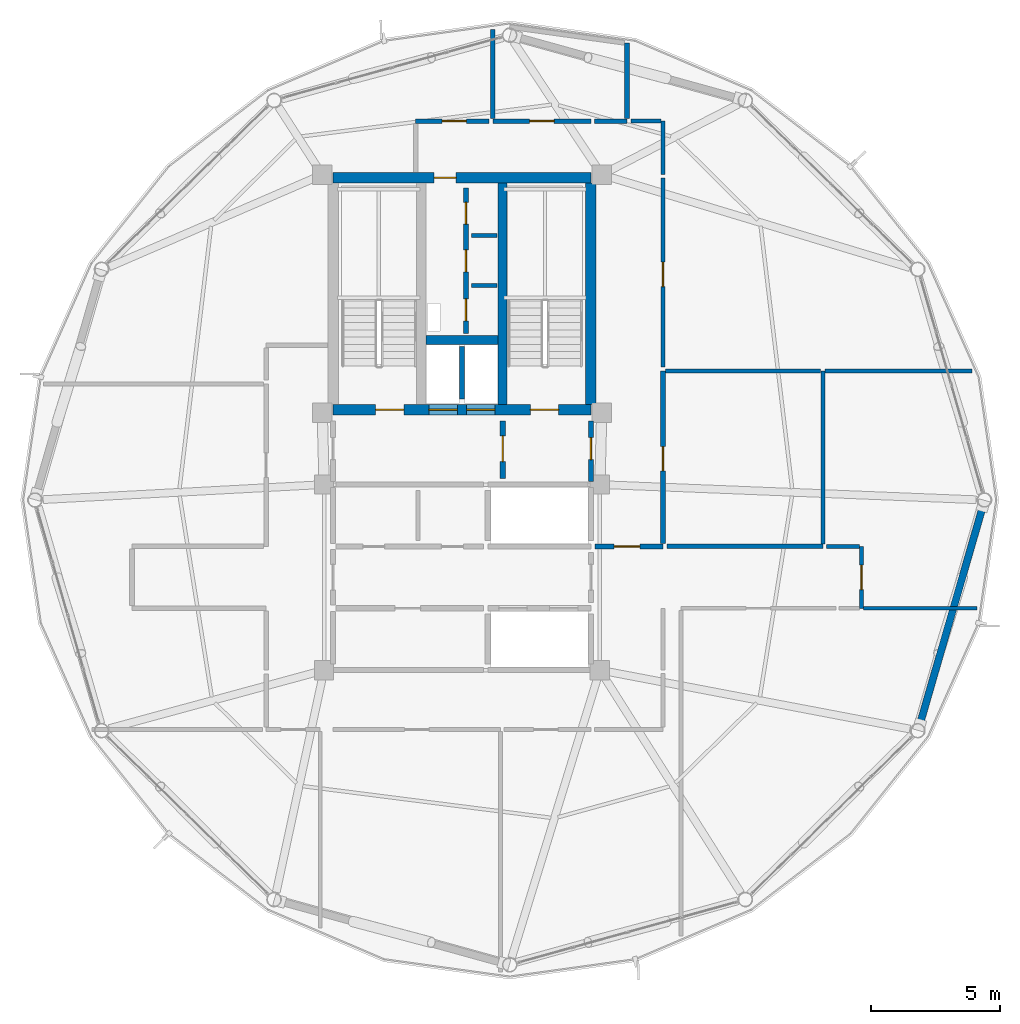
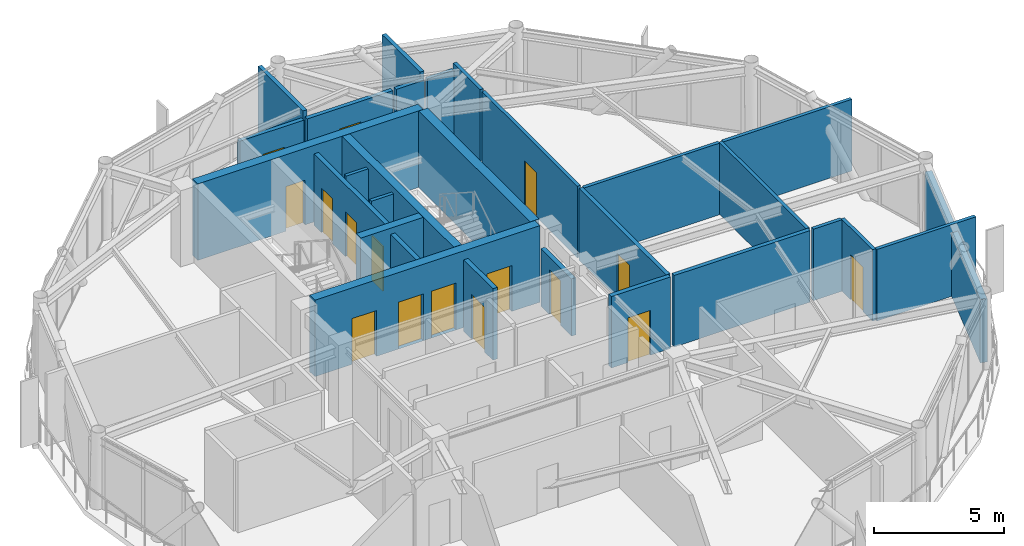
# One storey, part 21 of 25: 29 walls, 16 doors, 16 openings.
"""IFC4 building model written with IfcOpenShell, lengths in metres."""

from ifc_helpers import new_model, si_unit, direction, frame, frame_2d, origin, place, context, subcontext, project, spatial, rectangle, extrude, material, layer, layer_set, type_object, element, fill, save


model = new_model("IFC4")

# Units and contexts
model_context = context("Model", 3, precision=1e-05, world=origin(), true_north=direction((0.0, 1.0)))
body_context = subcontext(model_context, "Body", "Model", "MODEL_VIEW")
ifc_project = project(units=[si_unit("LENGTHUNIT", "METRE"), si_unit("AREAUNIT", "SQUARE_METRE"), si_unit("VOLUMEUNIT", "CUBIC_METRE"), si_unit("PLANEANGLEUNIT", "RADIAN"), si_unit("MASSUNIT", "GRAM", prefix="KILO")], contexts=[model_context])

# Site, building, storey
site_placement = place(None, origin())
site = spatial("IfcSite", under=ifc_project, at=site_placement, CompositionType="ELEMENT")
building_placement = place(site_placement, origin())
building = spatial("IfcBuilding", under=site, at=building_placement, Name="Varnakorn Sky Granary", CompositionType="ELEMENT")
storey_placement = place(building_placement, frame((0.0, 0.0, 252.60009765625)))
storey = spatial("IfcBuildingStorey", under=building, at=storey_placement, Name="L64", CompositionType="ELEMENT", Elevation=252.60009765625)

# Walls
ifc_material_1 = material(Name="Concrete C50/60", Category="concrete")
ifc_layer_1 = layer(ifc_material_1, 0.35009765625, Name="Concrete C50/60")
ifc_layer_set_1 = layer_set([ifc_layer_1], Name="Concrete C50/60")
wall_type_1 = type_object("IfcWallType", Name="WT-CW-INT-350", PredefinedType="SHEAR", material=ifc_layer_set_1)
wall_1_placement = place(storey_placement, frame((4.580078125, 3.7099609375, 0.0), z_axis=(0.0, 0.0, 1.0), x_axis=(0.0, 1.0, 0.0)))
element("IfcWall", 1, at=wall_1_placement, inside=storey, type_object=wall_type_1, Name="Stair ST-2 Core Wall L64", PredefinedType="SHEAR", context=body_context, shape_type="SweptSolid", body=[
    extrude(rectangle(XDim=8.580078125, YDim=0.35009765625, at=frame_2d((4.2900390625, 0.0))), origin(), (0.0, 0.0, 1.0), 3.591796875),
])
wall_2_placement = place(storey_placement, frame((1.610107421875, 6.199951171875, 0.0), z_axis=(0.0, 0.0, 1.0), x_axis=(1.0, 0.0, 0.0)))
element("IfcWall", 2, at=wall_2_placement, inside=storey, type_object=wall_type_1, Name="Core Lift Shaft Cross Wall L64", PredefinedType="SHEAR", context=body_context, shape_type="SweptSolid", body=[
    extrude(rectangle(XDim=2.77978515625, YDim=0.35009765625, at=frame_2d((1.389892578125, 0.0))), origin(), (0.0, 0.0, 1.0), 3.591796875),
])

# Wall, openings, doors
ifc_layer_2 = layer(ifc_material_1, 0.39990234375, Name="Concrete C50/60")
ifc_layer_set_2 = layer_set([ifc_layer_2], Name="Concrete C50/60")
wall_type_2 = type_object("IfcWallType", Name="WT-CW-SHEAR-400", PredefinedType="SHEAR", material=ifc_layer_set_2)
wall_3_placement = place(storey_placement, frame((-2.0, 3.5, 0.0), z_axis=(0.0, 0.0, 1.0), x_axis=(1.0, 0.0, 0.0)))
wall_3 = element("IfcWall", 3, at=wall_3_placement, inside=storey, type_object=wall_type_2, Name="Core South Shear Wall L64", PredefinedType="SHEAR", context=body_context, shape_type="SweptSolid", body=[
    extrude(rectangle(XDim=10.0, YDim=0.39990234375, at=frame_2d((5.0, 0.0))), origin(), (0.0, 0.0, 1.0), 3.591796875),
])
opening_1_placement = place(wall_3_placement, frame((1.64990234375, 0.0, 0.0)))
opening_1 = element("IfcOpeningElement", 4, at=opening_1_placement, cuts=wall_3, Name="Opening FD-90", PredefinedType="OPENING", context=body_context, shape_type="SweptSolid", body=[
    extrude(rectangle(XDim=1.10009765625, YDim=2.14990234375, at=frame_2d((0.550048828125, 1.074951171875))), frame((0.0, 0.2099609375, 0.0), z_axis=(0.0, -1.0, 0.0), x_axis=(1.0, 0.0, 0.0)), (0.0, 0.0, 1.0), 0.419921875),
])
opening_2_placement = place(wall_3_placement, frame((7.64990234375, 0.0, 0.0)))
opening_2 = element("IfcOpeningElement", 5, at=opening_2_placement, cuts=wall_3, Name="Opening FD-90", PredefinedType="OPENING", context=body_context, shape_type="SweptSolid", body=[
    extrude(rectangle(XDim=1.10009765625, YDim=2.14990234375, at=frame_2d((0.550048828125, 1.074951171875))), frame((0.0, 0.2099609375, 0.0), z_axis=(0.0, -1.0, 0.0), x_axis=(1.0, 0.0, 0.0)), (0.0, 0.0, 1.0), 0.419921875),
])
opening_3_placement = place(wall_3_placement, frame((3.719970703125, 0.0, 0.0)))
opening_3 = element("IfcOpeningElement", 6, at=opening_3_placement, cuts=wall_3, Name="Opening LD-01", PredefinedType="OPENING", context=body_context, shape_type="SweptSolid", body=[
    extrude(rectangle(XDim=1.10009765625, YDim=2.199951171875, at=frame_2d((0.550048828125, 1.10009765625))), frame((0.0, 0.2099609375, 0.0), z_axis=(0.0, -1.0, 0.0), x_axis=(1.0, 0.0, 0.0)), (0.0, 0.0, 1.0), 0.419921875),
])
opening_4_placement = place(wall_3_placement, frame((5.179931640625, 0.0, 0.0)))
opening_4 = element("IfcOpeningElement", 7, at=opening_4_placement, cuts=wall_3, Name="Opening LD-01", PredefinedType="OPENING", context=body_context, shape_type="SweptSolid", body=[
    extrude(rectangle(XDim=1.10009765625, YDim=2.199951171875, at=frame_2d((0.550048828125, 1.10009765625))), frame((0.0, 0.2099609375, 0.0), z_axis=(0.0, -1.0, 0.0), x_axis=(1.0, 0.0, 0.0)), (0.0, 0.0, 1.0), 0.419921875),
])
ifc_material_2 = material(Name="Brushed Bronze Stainless Steel", Category="steel")
door_type_1 = type_object("IfcDoorType", Name="DR-LD-1100", OperationType="DOUBLE_DOOR_SLIDING", PredefinedType="DOOR", material=ifc_material_2)
door_1_placement = place(opening_3_placement, origin())
door_1 = element("IfcDoor", 8, at=door_1_placement, inside=storey, type_object=door_type_1, Name="Firefighting Lift FFL-1 Landing Door L64", OperationType="DOUBLE_DOOR_SLIDING", OverallHeight=2.199951171875, OverallWidth=1.10009765625, PredefinedType="DOOR", context=body_context, shape_type="SweptSolid", body=[
    extrude(rectangle(XDim=1.10009765625, YDim=2.199951171875, at=frame_2d((0.550048828125, 1.10009765625))), frame((0.0, 0.02490234375, 0.0), z_axis=(0.0, -1.0, 0.0), x_axis=(1.0, 0.0, 0.0)), (0.0, 0.0, 1.0), 0.050048828125),
])
fill(opening_3, door_1)
door_2_placement = place(opening_4_placement, origin())
door_2 = element("IfcDoor", 9, at=door_2_placement, inside=storey, type_object=door_type_1, Name="Firefighting Lift FFL-2 Landing Door L64", OperationType="DOUBLE_DOOR_SLIDING", OverallHeight=2.199951171875, OverallWidth=1.10009765625, PredefinedType="DOOR", context=body_context, shape_type="SweptSolid", body=[
    extrude(rectangle(XDim=1.10009765625, YDim=2.199951171875, at=frame_2d((0.550048828125, 1.10009765625))), frame((0.0, 0.02490234375, 0.0), z_axis=(0.0, -1.0, 0.0), x_axis=(1.0, 0.0, 0.0)), (0.0, 0.0, 1.0), 0.050048828125),
])
fill(opening_4, door_2)
ifc_material_3 = material(Name="Galvanised Painted Steel Leaf", Category="steel")
door_type_2 = type_object("IfcDoorType", Name="DR-STAIR-1100", OperationType="NOTDEFINED", PredefinedType="DOOR", material=ifc_material_3)
door_3_placement = place(opening_1_placement, origin())
door_3 = element("IfcDoor", 10, at=door_3_placement, inside=storey, type_object=door_type_2, Name="Stair ST-1 Protected Fire Door L64", OperationType="SINGLE_SWING_LEFT", OverallHeight=2.14990234375, OverallWidth=1.10009765625, PredefinedType="DOOR", context=body_context, shape_type="SweptSolid", body=[
    extrude(rectangle(XDim=1.10009765625, YDim=2.14990234375, at=frame_2d((0.550048828125, 1.074951171875))), frame((0.0, 0.02490234375, 0.0), z_axis=(0.0, -1.0, 0.0), x_axis=(1.0, 0.0, 0.0)), (0.0, 0.0, 1.0), 0.050048828125),
])
fill(opening_1, door_3)
door_4_placement = place(opening_2_placement, origin())
door_4 = element("IfcDoor", 11, at=door_4_placement, inside=storey, type_object=door_type_2, Name="Stair ST-2 Protected Fire Door L64", OperationType="SINGLE_SWING_RIGHT", OverallHeight=2.14990234375, OverallWidth=1.10009765625, PredefinedType="DOOR", context=body_context, shape_type="SweptSolid", body=[
    extrude(rectangle(XDim=1.10009765625, YDim=2.14990234375, at=frame_2d((0.550048828125, 1.074951171875))), frame((0.0, 0.02490234375, 0.0), z_axis=(0.0, -1.0, 0.0), x_axis=(1.0, 0.0, 0.0)), (0.0, 0.0, 1.0), 0.050048828125),
])
fill(opening_2, door_4)

# Wall, opening, door
wall_4_placement = place(storey_placement, frame((-2.0, 12.5, 0.0), z_axis=(0.0, 0.0, 1.0), x_axis=(1.0, 0.0, 0.0)))
wall_4 = element("IfcWall", 12, at=wall_4_placement, inside=storey, type_object=wall_type_2, Name="Core North Shear Wall L64", PredefinedType="SHEAR", context=body_context, shape_type="SweptSolid", body=[
    extrude(rectangle(XDim=10.0, YDim=0.39990234375, at=frame_2d((5.0, 0.0))), origin(), (0.0, 0.0, 1.0), 3.591796875),
])
opening_5_placement = place(wall_4_placement, frame((3.919921875, 0.0, 0.0)))
opening_5 = element("IfcOpeningElement", 13, at=opening_5_placement, cuts=wall_4, Name="Opening FD-60N", PredefinedType="OPENING", context=body_context, shape_type="SweptSolid", body=[
    extrude(rectangle(XDim=0.85009765625, YDim=2.10009765625, at=frame_2d((0.425048828125, 1.050048828125))), frame((0.0, 0.2099609375, 0.0), z_axis=(0.0, -1.0, 0.0), x_axis=(1.0, 0.0, 0.0)), (0.0, 0.0, 1.0), 0.419921875),
])
ifc_material_4 = material(Name="Acoustic Timber Fire Leaf", Category="wood")
door_type_3 = type_object("IfcDoorType", Name="DR-FD60-850", OperationType="NOTDEFINED", PredefinedType="DOOR", material=ifc_material_4)
door_5_placement = place(opening_5_placement, origin())
door_5 = element("IfcDoor", 14, at=door_5_placement, inside=storey, type_object=door_type_3, Name="Core North Service Door L64", OperationType="SINGLE_SWING_RIGHT", OverallHeight=2.10009765625, OverallWidth=0.85009765625, PredefinedType="DOOR", context=body_context, shape_type="SweptSolid", body=[
    extrude(rectangle(XDim=0.85009765625, YDim=2.10009765625, at=frame_2d((0.425048828125, 1.050048828125))), frame((0.0, 0.02490234375, 0.0), z_axis=(0.0, -1.0, 0.0), x_axis=(1.0, 0.0, 0.0)), (0.0, 0.0, 1.0), 0.050048828125),
])
fill(opening_5, door_5)

# Walls
wall_5_placement = place(storey_placement, frame((8.0, 3.7099609375, 0.0), z_axis=(0.0, 0.0, 1.0), x_axis=(0.0, 1.0, 0.0)))
element("IfcWall", 15, at=wall_5_placement, inside=storey, type_object=wall_type_2, Name="Core East Shear Wall L64", PredefinedType="SHEAR", context=body_context, shape_type="SweptSolid", body=[
    extrude(rectangle(XDim=8.580078125, YDim=0.39990234375, at=frame_2d((4.2900390625, 0.0))), origin(), (0.0, 0.0, 1.0), 3.591796875),
])
ifc_material_5 = material(Name="Precast concrete C40/50", Category="concrete")
ifc_layer_3 = layer(ifc_material_5, 0.280029296875, Name="Precast concrete C40/50")
ifc_layer_set_3 = layer_set([ifc_layer_3], Name="Precast concrete C40/50")
wall_type_3 = type_object("IfcWallType", Name="WT-EW-CRN-280", PredefinedType="SOLIDWALL", material=ifc_layer_set_3)
wall_6_placement = place(storey_placement, frame((23.2119140625, -0.225341796875, 0.0), z_axis=(0.0, 0.0, 1.0), x_axis=(-0.277496645895, -0.960726606021, 0.0)))
element("IfcWall", 16, at=wall_6_placement, inside=storey, type_object=wall_type_3, Name="Agritech Insulated Precast Facade Wall L64-P12", PredefinedType="SOLIDWALL", context=body_context, shape_type="SweptSolid", body=[
    extrude(rectangle(XDim=8.848876953125, YDim=0.280029296875, at=frame_2d((4.42431640625, 0.0))), origin(), (0.0, 0.0, 1.0), 2.969970703125),
])

# Wall, openings, doors
ifc_material_6 = material(Name="Autoclaved Aerated Concrete Blockwork", Category="masonry")
ifc_layer_4 = layer(ifc_material_6, 0.199951171875, Name="Autoclaved Aerated Concrete Blockwork")
ifc_layer_set_4 = layer_set([ifc_layer_4], Name="Autoclaved Aerated Concrete Blockwork")
wall_type_4 = type_object("IfcWallType", Name="WT-FIRE-200", PredefinedType="MOVABLE", material=ifc_layer_set_4)
wall_7_placement = place(storey_placement, frame((3.14990234375, 6.449951171875, 0.0), z_axis=(0.0, 0.0, 1.0), x_axis=(0.0, 1.0, 0.0)))
wall_7 = element("IfcWall", 17, at=wall_7_placement, inside=storey, type_object=wall_type_4, Name="Interior Partition Wall L64-010", PredefinedType="MOVABLE", context=body_context, shape_type="SweptSolid", body=[
    extrude(rectangle(XDim=5.650146484375, YDim=0.199951171875, at=frame_2d((2.8251953125, 0.0))), origin(), (0.0, 0.0, 1.0), 3.35986328125),
])
opening_6_placement = place(wall_7_placement, frame((0.5, 0.0, 0.0)))
opening_6 = element("IfcOpeningElement", 18, at=opening_6_placement, cuts=wall_7, Name="Opening FD-60N", PredefinedType="OPENING", context=body_context, shape_type="SweptSolid", body=[
    extrude(rectangle(XDim=0.85009765625, YDim=2.10009765625, at=frame_2d((0.425048828125, 1.050048828125))), frame((0.0, 0.10986328125, 0.0), z_axis=(0.0, -1.0, 0.0), x_axis=(1.0, 0.0, 0.0)), (0.0, 0.0, 1.0), 0.219970703125),
])
opening_7_placement = place(wall_7_placement, frame((2.39990234375, 0.0, 0.0)))
opening_7 = element("IfcOpeningElement", 19, at=opening_7_placement, cuts=wall_7, Name="Opening FD-60N", PredefinedType="OPENING", context=body_context, shape_type="SweptSolid", body=[
    extrude(rectangle(XDim=0.85009765625, YDim=2.10009765625, at=frame_2d((0.425048828125, 1.050048828125))), frame((0.0, 0.10986328125, 0.0), z_axis=(0.0, -1.0, 0.0), x_axis=(1.0, 0.0, 0.0)), (0.0, 0.0, 1.0), 0.219970703125),
])
opening_8_placement = place(wall_7_placement, frame((4.25, 0.0, 0.0)))
opening_8 = element("IfcOpeningElement", 20, at=opening_8_placement, cuts=wall_7, Name="Opening FD-60N", PredefinedType="OPENING", context=body_context, shape_type="SweptSolid", body=[
    extrude(rectangle(XDim=0.85009765625, YDim=2.10009765625, at=frame_2d((0.425048828125, 1.050048828125))), frame((0.0, 0.10986328125, 0.0), z_axis=(0.0, -1.0, 0.0), x_axis=(1.0, 0.0, 0.0)), (0.0, 0.0, 1.0), 0.219970703125),
])
door_6_placement = place(opening_6_placement, origin())
door_6 = element("IfcDoor", 21, at=door_6_placement, inside=storey, type_object=door_type_3, Name="Interior Door L64-010-1", OperationType="SINGLE_SWING_RIGHT", OverallHeight=2.10009765625, OverallWidth=0.85009765625, PredefinedType="DOOR", context=body_context, shape_type="SweptSolid", body=[
    extrude(rectangle(XDim=0.85009765625, YDim=2.10009765625, at=frame_2d((0.425048828125, 1.050048828125))), frame((0.0, 0.02490234375, 0.0), z_axis=(0.0, -1.0, 0.0), x_axis=(1.0, 0.0, 0.0)), (0.0, 0.0, 1.0), 0.050048828125),
])
fill(opening_6, door_6)
door_7_placement = place(opening_7_placement, origin())
door_7 = element("IfcDoor", 22, at=door_7_placement, inside=storey, type_object=door_type_3, Name="Interior Door L64-010-2", OperationType="SINGLE_SWING_LEFT", OverallHeight=2.10009765625, OverallWidth=0.85009765625, PredefinedType="DOOR", context=body_context, shape_type="SweptSolid", body=[
    extrude(rectangle(XDim=0.85009765625, YDim=2.10009765625, at=frame_2d((0.425048828125, 1.050048828125))), frame((0.0, 0.02490234375, 0.0), z_axis=(0.0, -1.0, 0.0), x_axis=(1.0, 0.0, 0.0)), (0.0, 0.0, 1.0), 0.050048828125),
])
fill(opening_7, door_7)
door_8_placement = place(opening_8_placement, origin())
door_8 = element("IfcDoor", 23, at=door_8_placement, inside=storey, type_object=door_type_3, Name="Interior Door L64-010-3", OperationType="SINGLE_SWING_RIGHT", OverallHeight=2.10009765625, OverallWidth=0.85009765625, PredefinedType="DOOR", context=body_context, shape_type="SweptSolid", body=[
    extrude(rectangle(XDim=0.85009765625, YDim=2.10009765625, at=frame_2d((0.425048828125, 1.050048828125))), frame((0.0, 0.02490234375, 0.0), z_axis=(0.0, -1.0, 0.0), x_axis=(1.0, 0.0, 0.0)), (0.0, 0.0, 1.0), 0.050048828125),
])
fill(opening_8, door_8)

# Wall, opening, door
wall_8_placement = place(storey_placement, frame((4.580078125, 0.830078125, 0.0), z_axis=(0.0, 0.0, 1.0), x_axis=(0.0, 1.0, 0.0)))
wall_8 = element("IfcWall", 24, at=wall_8_placement, inside=storey, type_object=wall_type_4, Name="Interior Partition Wall L64-011", PredefinedType="MOVABLE", context=body_context, shape_type="SweptSolid", body=[
    extrude(rectangle(XDim=2.239990234375, YDim=0.199951171875, at=frame_2d((1.1201171875, 0.0))), origin(), (0.0, 0.0, 1.0), 3.35986328125),
])
opening_9_placement = place(wall_8_placement, frame((0.659912109375, 0.0, 0.0)))
opening_9 = element("IfcOpeningElement", 25, at=opening_9_placement, cuts=wall_8, Name="Opening FD-60", PredefinedType="OPENING", context=body_context, shape_type="SweptSolid", body=[
    extrude(rectangle(XDim=1.0, YDim=2.10009765625, at=frame_2d((0.5, 1.050048828125))), frame((0.0, 0.10986328125, 0.0), z_axis=(0.0, -1.0, 0.0), x_axis=(1.0, 0.0, 0.0)), (0.0, 0.0, 1.0), 0.219970703125),
])
door_type_4 = type_object("IfcDoorType", Name="DR-FD60-1000", OperationType="NOTDEFINED", PredefinedType="DOOR", material=ifc_material_4)
door_9_placement = place(opening_9_placement, origin())
door_9 = element("IfcDoor", 26, at=door_9_placement, inside=storey, type_object=door_type_4, Name="Interior Door L64-011-1", OperationType="SINGLE_SWING_LEFT", OverallHeight=2.10009765625, OverallWidth=1.0, PredefinedType="DOOR", context=body_context, shape_type="SweptSolid", body=[
    extrude(rectangle(XDim=1.0, YDim=2.10009765625, at=frame_2d((0.5, 1.050048828125))), frame((0.0, 0.02490234375, 0.0), z_axis=(0.0, -1.0, 0.0), x_axis=(1.0, 0.0, 0.0)), (0.0, 0.0, 1.0), 0.050048828125),
])
fill(opening_9, door_9)

wall_9_placement = place(storey_placement, frame((8.0, 0.719970703125, 0.0), z_axis=(0.0, 0.0, 1.0), x_axis=(0.0, 1.0, 0.0)))
wall_9 = element("IfcWall", 27, at=wall_9_placement, inside=storey, type_object=wall_type_4, Name="Interior Partition Wall L64-013", PredefinedType="MOVABLE", context=body_context, shape_type="SweptSolid", body=[
    extrude(rectangle(XDim=2.35009765625, YDim=0.199951171875, at=frame_2d((1.175048828125, 0.0))), origin(), (0.0, 0.0, 1.0), 2.69189453125),
])
opening_10_placement = place(wall_9_placement, frame((0.844970703125, 0.0, 0.0)))
opening_10 = element("IfcOpeningElement", 28, at=opening_10_placement, cuts=wall_9, Name="Opening FD-60N", PredefinedType="OPENING", context=body_context, shape_type="SweptSolid", body=[
    extrude(rectangle(XDim=0.85009765625, YDim=2.10009765625, at=frame_2d((0.425048828125, 1.050048828125))), frame((0.0, 0.10986328125, 0.0), z_axis=(0.0, -1.0, 0.0), x_axis=(1.0, 0.0, 0.0)), (0.0, 0.0, 1.0), 0.219970703125),
])
door_10_placement = place(opening_10_placement, origin())
door_10 = element("IfcDoor", 29, at=door_10_placement, inside=storey, type_object=door_type_3, Name="Interior Door L64-013-1", OperationType="SINGLE_SWING_LEFT", OverallHeight=2.10009765625, OverallWidth=0.85009765625, PredefinedType="DOOR", context=body_context, shape_type="SweptSolid", body=[
    extrude(rectangle(XDim=0.85009765625, YDim=2.10009765625, at=frame_2d((0.425048828125, 1.050048828125))), frame((0.0, 0.02490234375, 0.0), z_axis=(0.0, -1.0, 0.0), x_axis=(1.0, 0.0, 0.0)), (0.0, 0.0, 1.0), 0.050048828125),
])
fill(opening_10, door_10)

wall_10_placement = place(storey_placement, frame((8.159912109375, -1.800048828125, 0.0), z_axis=(0.0, 0.0, 1.0), x_axis=(1.0, 0.0, 0.0)))
wall_10 = element("IfcWall", 30, at=wall_10_placement, inside=storey, type_object=wall_type_4, Name="Interior Partition Wall L64-018", PredefinedType="MOVABLE", context=body_context, shape_type="SweptSolid", body=[
    extrude(rectangle(XDim=2.64013671875, YDim=0.199951171875, at=frame_2d((1.320068359375, 0.0))), origin(), (0.0, 0.0, 1.0), 3.35986328125),
])
opening_11_placement = place(wall_10_placement, frame((0.739990234375, 0.0, 0.0)))
opening_11 = element("IfcOpeningElement", 31, at=opening_11_placement, cuts=wall_10, Name="Opening FD-60", PredefinedType="OPENING", context=body_context, shape_type="SweptSolid", body=[
    extrude(rectangle(XDim=1.0, YDim=2.10009765625, at=frame_2d((0.5, 1.050048828125))), frame((0.0, 0.10986328125, 0.0), z_axis=(0.0, -1.0, 0.0), x_axis=(1.0, 0.0, 0.0)), (0.0, 0.0, 1.0), 0.219970703125),
])
door_11_placement = place(opening_11_placement, origin())
door_11 = element("IfcDoor", 32, at=door_11_placement, inside=storey, type_object=door_type_4, Name="Interior Door L64-018-1", OperationType="SINGLE_SWING_LEFT", OverallHeight=2.10009765625, OverallWidth=1.0, PredefinedType="DOOR", context=body_context, shape_type="SweptSolid", body=[
    extrude(rectangle(XDim=1.0, YDim=2.10009765625, at=frame_2d((0.5, 1.050048828125))), frame((0.0, 0.02490234375, 0.0), z_axis=(0.0, -1.0, 0.0), x_axis=(1.0, 0.0, 0.0)), (0.0, 0.0, 1.0), 0.050048828125),
])
fill(opening_11, door_11)

ifc_material_7 = material(Name="Gypsum Plasterboard on Steel Stud", Category="steel")
ifc_layer_5 = layer(ifc_material_7, 0.14990234375, Name="Gypsum Plasterboard on Steel Stud")
ifc_layer_set_5 = layer_set([ifc_layer_5], Name="Gypsum Plasterboard on Steel Stud")
wall_type_5 = type_object("IfcWallType", Name="WT-PART-150", PredefinedType="PARTITIONING", material=ifc_layer_set_5)
wall_11_placement = place(storey_placement, frame((18.5, -4.199951171875, 0.0), z_axis=(0.0, 0.0, 1.0), x_axis=(0.0, 1.0, 0.0)))
wall_11 = element("IfcWall", 33, at=wall_11_placement, inside=storey, type_object=wall_type_5, Name="Interior Partition Wall L64-027", PredefinedType="PARTITIONING", context=body_context, shape_type="SweptSolid", body=[
    extrude(rectangle(XDim=2.39990234375, YDim=0.14990234375, at=frame_2d((1.199951171875, 0.0))), origin(), (0.0, 0.0, 1.0), 3.35986328125),
])
opening_12_placement = place(wall_11_placement, frame((0.72509765625, 0.0, 0.0)))
opening_12 = element("IfcOpeningElement", 34, at=opening_12_placement, cuts=wall_11, Name="Opening ID-95", PredefinedType="OPENING", context=body_context, shape_type="SweptSolid", body=[
    extrude(rectangle(XDim=0.949951171875, YDim=2.10009765625, at=frame_2d((0.47509765625, 1.050048828125))), frame((0.0, 0.0849609375, 0.0), z_axis=(0.0, -1.0, 0.0), x_axis=(1.0, 0.0, 0.0)), (0.0, 0.0, 1.0), 0.169921875),
])
ifc_material_8 = material(Name="Solid-Core Teak Veneer Leaf", Category="timber")
door_type_5 = type_object("IfcDoorType", Name="DR-INT-950", OperationType="NOTDEFINED", PredefinedType="DOOR", material=ifc_material_8)
door_12_placement = place(opening_12_placement, origin())
door_12 = element("IfcDoor", 35, at=door_12_placement, inside=storey, type_object=door_type_5, Name="Interior Door L64-027-1", OperationType="SINGLE_SWING_RIGHT", OverallHeight=2.10009765625, OverallWidth=0.949951171875, PredefinedType="DOOR", context=body_context, shape_type="SweptSolid", body=[
    extrude(rectangle(XDim=0.949951171875, YDim=2.10009765625, at=frame_2d((0.47509765625, 1.050048828125))), frame((0.0, 0.02490234375, 0.0), z_axis=(0.0, -1.0, 0.0), x_axis=(1.0, 0.0, 0.0)), (0.0, 0.0, 1.0), 0.050048828125),
])
fill(opening_12, door_12)

wall_12_placement = place(storey_placement, frame((10.800048828125, 5.14990234375, 0.0), z_axis=(0.0, 0.0, 1.0), x_axis=(0.0, 1.0, 0.0)))
wall_12 = element("IfcWall", 36, at=wall_12_placement, inside=storey, type_object=wall_type_5, Name="Interior Partition Wall L64-028", PredefinedType="PARTITIONING", context=body_context, shape_type="SweptSolid", body=[
    extrude(rectangle(XDim=7.35009765625, YDim=0.14990234375, at=frame_2d((3.675048828125, 0.0))), origin(), (0.0, 0.0, 1.0), 3.35986328125),
])
opening_13_placement = place(wall_12_placement, frame((3.125, 0.0, 0.0)))
opening_13 = element("IfcOpeningElement", 37, at=opening_13_placement, cuts=wall_12, Name="Opening ID-95", PredefinedType="OPENING", context=body_context, shape_type="SweptSolid", body=[
    extrude(rectangle(XDim=0.949951171875, YDim=2.10009765625, at=frame_2d((0.47509765625, 1.050048828125))), frame((0.0, 0.0849609375, 0.0), z_axis=(0.0, -1.0, 0.0), x_axis=(1.0, 0.0, 0.0)), (0.0, 0.0, 1.0), 0.169921875),
])
door_13_placement = place(opening_13_placement, origin())
door_13 = element("IfcDoor", 38, at=door_13_placement, inside=storey, type_object=door_type_5, Name="Interior Door L64-028-1", OperationType="SINGLE_SWING_LEFT", OverallHeight=2.10009765625, OverallWidth=0.949951171875, PredefinedType="DOOR", context=body_context, shape_type="SweptSolid", body=[
    extrude(rectangle(XDim=0.949951171875, YDim=2.10009765625, at=frame_2d((0.47509765625, 1.050048828125))), frame((0.0, 0.02490234375, 0.0), z_axis=(0.0, -1.0, 0.0), x_axis=(1.0, 0.0, 0.0)), (0.0, 0.0, 1.0), 0.050048828125),
])
fill(opening_13, door_13)

# Walls
for number, where, z_axis, x_axis, name in (
    (39, (3.3701171875, 8.320068359375, 0.0), (0.0, 0.0, 1.0), (1.0, 0.0, 0.0), "Interior Partition Wall L64-029"),
    (40, (3.3701171875, 10.260009765625, 0.0), (0.0, 0.0, 1.0), (1.0, 0.0, 0.0), "Interior Partition Wall L64-030"),
):
    element("IfcWall", number, at=place(storey_placement, frame(where, z_axis=z_axis, x_axis=x_axis)), inside=storey, type_object=wall_type_5, Name=name, PredefinedType="PARTITIONING", context=body_context, shape_type="SweptSolid", body=[
        extrude(rectangle(XDim=0.97998046875, YDim=0.14990234375, at=frame_2d((0.489990234375, 0.0))), origin(), (0.0, 0.0, 1.0), 3.35986328125),
    ])
wall_13_placement = place(storey_placement, frame((18.5849609375, -4.199951171875, 0.0), z_axis=(0.0, 0.0, 1.0), x_axis=(1.0, 0.0, 0.0)))
element("IfcWall", 41, at=wall_13_placement, inside=storey, type_object=wall_type_5, Name="Interior Partition Wall L64-045", PredefinedType="PARTITIONING", context=body_context, shape_type="SweptSolid", body=[
    extrude(rectangle(XDim=4.39697265625, YDim=0.14990234375, at=frame_2d((2.198486328125, 0.0))), origin(), (0.0, 0.0, 1.0), 3.35986328125),
])
wall_14_placement = place(storey_placement, frame((17.0, 5.0, 0.0), z_axis=(0.0, 0.0, 1.0), x_axis=(0.0, -1.0, 0.0)))
element("IfcWall", 42, at=wall_14_placement, inside=storey, type_object=wall_type_5, Name="Interior Partition Wall L64-057", PredefinedType="PARTITIONING", context=body_context, shape_type="SweptSolid", body=[
    extrude(rectangle(XDim=6.699951171875, YDim=0.14990234375, at=frame_2d((3.35009765625, 0.0))), origin(), (0.0, 0.0, 1.0), 3.35986328125),
])
wall_15_placement = place(storey_placement, frame((10.89990234375, 5.0, 0.0), z_axis=(0.0, 0.0, 1.0), x_axis=(1.0, 0.0, 0.0)))
element("IfcWall", 43, at=wall_15_placement, inside=storey, type_object=wall_type_5, Name="Interior Partition Wall L64-058", PredefinedType="PARTITIONING", context=body_context, shape_type="SweptSolid", body=[
    extrude(rectangle(XDim=6.01513671875, YDim=0.14990234375, at=frame_2d((3.007568359375, 0.0))), origin(), (0.0, 0.0, 1.0), 3.35986328125),
])
wall_16_placement = place(storey_placement, frame((18.4150390625, -1.800048828125, 0.0), z_axis=(0.0, 0.0, 1.0), x_axis=(-1.0, 0.0, 0.0)))
element("IfcWall", 44, at=wall_16_placement, inside=storey, type_object=wall_type_5, Name="Interior Partition Wall L64-059", PredefinedType="PARTITIONING", context=body_context, shape_type="SweptSolid", body=[
    extrude(rectangle(XDim=1.26513671875, YDim=0.14990234375, at=frame_2d((0.632568359375, 0.0))), origin(), (0.0, 0.0, 1.0), 3.35986328125),
])
wall_17_placement = place(storey_placement, frame((17.0849609375, 5.0, 0.0), z_axis=(0.0, 0.0, 1.0), x_axis=(1.0, 0.0, 0.0)))
element("IfcWall", 45, at=wall_17_placement, inside=storey, type_object=wall_type_5, Name="Interior Partition Wall L64-060", PredefinedType="PARTITIONING", context=body_context, shape_type="SweptSolid", body=[
    extrude(rectangle(XDim=5.703125, YDim=0.14990234375, at=frame_2d((2.8515625, 0.0))), origin(), (0.0, 0.0, 1.0), 3.35986328125),
])
wall_18_placement = place(storey_placement, frame((10.800048828125, 12.635009765625, 0.0), z_axis=(0.0, 0.0, 1.0), x_axis=(0.0, 1.0, 0.0)))
element("IfcWall", 46, at=wall_18_placement, inside=storey, type_object=wall_type_5, Name="Interior Partition Wall L64-061", PredefinedType="PARTITIONING", context=body_context, shape_type="SweptSolid", body=[
    extrude(rectangle(XDim=2.06494140625, YDim=0.14990234375, at=frame_2d((1.032470703125, 0.0))), origin(), (0.0, 0.0, 1.0), 3.35986328125),
])
wall_19_placement = place(storey_placement, frame((10.715087890625, 14.699951171875, 0.0), z_axis=(0.0, 0.0, 1.0), x_axis=(-1.0, 0.0, 0.0)))
element("IfcWall", 47, at=wall_19_placement, inside=storey, type_object=wall_type_5, Name="Interior Partition Wall L64-062", PredefinedType="PARTITIONING", context=body_context, shape_type="SweptSolid", body=[
    extrude(rectangle(XDim=1.1650390625, YDim=0.14990234375, at=frame_2d((0.58251953125, 0.0))), origin(), (0.0, 0.0, 1.0), 3.072021484375),
])

# Wall, opening, door
ifc_material_9 = material(Name="Moisture-Resistant Gypsum on Stud", Category="gypsum")
ifc_layer_6 = layer(ifc_material_9, 0.179931640625, Name="Moisture-Resistant Gypsum on Stud")
ifc_layer_set_6 = layer_set([ifc_layer_6], Name="Moisture-Resistant Gypsum on Stud")
wall_type_6 = type_object("IfcWallType", Name="WT-PLUMB-180", PredefinedType="PLUMBINGWALL", material=ifc_layer_set_6)
wall_20_placement = place(storey_placement, frame((8.0, 14.699951171875, 0.0), z_axis=(0.0, 0.0, 1.0), x_axis=(-1.0, 0.0, 0.0)))
wall_20 = element("IfcWall", 48, at=wall_20_placement, inside=storey, type_object=wall_type_6, Name="Interior Partition Wall L64-019", PredefinedType="PLUMBINGWALL", context=body_context, shape_type="SweptSolid", body=[
    extrude(rectangle(XDim=3.800048828125, YDim=0.179931640625, at=frame_2d((1.89990234375, 0.0))), origin(), (0.0, 0.0, 1.0), 3.072021484375),
])
opening_14_placement = place(wall_20_placement, frame((1.425048828125, 0.0, 0.0)))
opening_14 = element("IfcOpeningElement", 49, at=opening_14_placement, cuts=wall_20, Name="Opening ID-95", PredefinedType="OPENING", context=body_context, shape_type="SweptSolid", body=[
    extrude(rectangle(XDim=0.949951171875, YDim=2.10009765625, at=frame_2d((0.47509765625, 1.050048828125))), frame((0.0, 0.10009765625, 0.0), z_axis=(0.0, -1.0, 0.0), x_axis=(1.0, 0.0, 0.0)), (0.0, 0.0, 1.0), 0.199951171875),
])
door_14_placement = place(opening_14_placement, origin())
door_14 = element("IfcDoor", 50, at=door_14_placement, inside=storey, type_object=door_type_5, Name="Interior Door L64-019-1", OperationType="SINGLE_SWING_RIGHT", OverallHeight=2.10009765625, OverallWidth=0.949951171875, PredefinedType="DOOR", context=body_context, shape_type="SweptSolid", body=[
    extrude(rectangle(XDim=0.949951171875, YDim=2.10009765625, at=frame_2d((0.47509765625, 1.050048828125))), frame((0.0, 0.02490234375, 0.0), z_axis=(0.0, -1.0, 0.0), x_axis=(1.0, 0.0, 0.0)), (0.0, 0.0, 1.0), 0.050048828125),
])
fill(opening_14, door_14)

wall_21_placement = place(storey_placement, frame((4.050048828125, 14.699951171875, 0.0), z_axis=(0.0, 0.0, 1.0), x_axis=(-1.0, 0.0, 0.0)))
wall_21 = element("IfcWall", 51, at=wall_21_placement, inside=storey, type_object=wall_type_6, Name="Interior Partition Wall L64-025", PredefinedType="PLUMBINGWALL", context=body_context, shape_type="SweptSolid", body=[
    extrude(rectangle(XDim=2.85009765625, YDim=0.179931640625, at=frame_2d((1.425048828125, 0.0))), origin(), (0.0, 0.0, 1.0), 3.072021484375),
])
opening_15_placement = place(wall_21_placement, frame((0.875, 0.0, 0.0)))
opening_15 = element("IfcOpeningElement", 52, at=opening_15_placement, cuts=wall_21, Name="Opening ID-95", PredefinedType="OPENING", context=body_context, shape_type="SweptSolid", body=[
    extrude(rectangle(XDim=0.949951171875, YDim=2.10009765625, at=frame_2d((0.47509765625, 1.050048828125))), frame((0.0, 0.10009765625, 0.0), z_axis=(0.0, -1.0, 0.0), x_axis=(1.0, 0.0, 0.0)), (0.0, 0.0, 1.0), 0.199951171875),
])
door_15_placement = place(opening_15_placement, origin())
door_15 = element("IfcDoor", 53, at=door_15_placement, inside=storey, type_object=door_type_5, Name="Interior Door L64-025-1", OperationType="SINGLE_SWING_RIGHT", OverallHeight=2.10009765625, OverallWidth=0.949951171875, PredefinedType="DOOR", context=body_context, shape_type="SweptSolid", body=[
    extrude(rectangle(XDim=0.949951171875, YDim=2.10009765625, at=frame_2d((0.47509765625, 1.050048828125))), frame((0.0, 0.02490234375, 0.0), z_axis=(0.0, -1.0, 0.0), x_axis=(1.0, 0.0, 0.0)), (0.0, 0.0, 1.0), 0.050048828125),
])
fill(opening_15, door_15)

wall_22_placement = place(storey_placement, frame((10.800048828125, -1.68994140625, 0.0), z_axis=(0.0, 0.0, 1.0), x_axis=(0.0, 1.0, 0.0)))
wall_22 = element("IfcWall", 54, at=wall_22_placement, inside=storey, type_object=wall_type_6, Name="Interior Partition Wall L64-026", PredefinedType="PLUMBINGWALL", context=body_context, shape_type="SweptSolid", body=[
    extrude(rectangle(XDim=6.68994140625, YDim=0.179931640625, at=frame_2d((3.344970703125, 0.0))), origin(), (0.0, 0.0, 1.0), 3.35986328125),
])
opening_16_placement = place(wall_22_placement, frame((2.81494140625, 0.0, 0.0)))
opening_16 = element("IfcOpeningElement", 55, at=opening_16_placement, cuts=wall_22, Name="Opening ID-95", PredefinedType="OPENING", context=body_context, shape_type="SweptSolid", body=[
    extrude(rectangle(XDim=0.949951171875, YDim=2.10009765625, at=frame_2d((0.47509765625, 1.050048828125))), frame((0.0, 0.10009765625, 0.0), z_axis=(0.0, -1.0, 0.0), x_axis=(1.0, 0.0, 0.0)), (0.0, 0.0, 1.0), 0.199951171875),
])
door_16_placement = place(opening_16_placement, origin())
door_16 = element("IfcDoor", 56, at=door_16_placement, inside=storey, type_object=door_type_5, Name="Interior Door L64-026-1", OperationType="SINGLE_SWING_LEFT", OverallHeight=2.10009765625, OverallWidth=0.949951171875, PredefinedType="DOOR", context=body_context, shape_type="SweptSolid", body=[
    extrude(rectangle(XDim=0.949951171875, YDim=2.10009765625, at=frame_2d((0.47509765625, 1.050048828125))), frame((0.0, 0.02490234375, 0.0), z_axis=(0.0, -1.0, 0.0), x_axis=(1.0, 0.0, 0.0)), (0.0, 0.0, 1.0), 0.050048828125),
])
fill(opening_16, door_16)

# Walls
wall_23_placement = place(storey_placement, frame((9.39990234375, 14.699951171875, 0.0), z_axis=(0.0, 0.0, 1.0), x_axis=(-1.0, 0.0, 0.0)))
element("IfcWall", 57, at=wall_23_placement, inside=storey, type_object=wall_type_6, Name="Interior Partition Wall L64-036", PredefinedType="PLUMBINGWALL", context=body_context, shape_type="SweptSolid", body=[
    extrude(rectangle(XDim=1.25, YDim=0.179931640625, at=frame_2d((0.625, 0.0))), origin(), (0.0, 0.0, 1.0), 3.072021484375),
])
wall_24_placement = place(storey_placement, frame((4.199951171875, 18.259033203125, 0.0), z_axis=(0.0, 0.0, 1.0), x_axis=(0.0, -1.0, 0.0)))
element("IfcWall", 58, at=wall_24_placement, inside=storey, type_object=wall_type_6, Name="Interior Partition Wall L64-055", PredefinedType="PLUMBINGWALL", context=body_context, shape_type="SweptSolid", body=[
    extrude(rectangle(XDim=3.458984375, YDim=0.179931640625, at=frame_2d((1.7294921875, 0.0))), origin(), (0.0, 0.0, 1.0), 3.35986328125),
])
wall_25_placement = place(storey_placement, frame((17.0, -1.800048828125, 0.0), z_axis=(0.0, 0.0, 1.0), x_axis=(-1.0, 0.0, 0.0)))
element("IfcWall", 59, at=wall_25_placement, inside=storey, type_object=wall_type_6, Name="Interior Partition Wall L64-056", PredefinedType="PLUMBINGWALL", context=body_context, shape_type="SweptSolid", body=[
    extrude(rectangle(XDim=6.0400390625, YDim=0.179931640625, at=frame_2d((3.02001953125, 0.0))), origin(), (0.0, 0.0, 1.0), 3.35986328125),
])
wall_26_placement = place(storey_placement, frame((9.39990234375, 14.800048828125, 0.0), z_axis=(0.0, 0.0, 1.0), x_axis=(0.0, 1.0, 0.0)))
element("IfcWall", 60, at=wall_26_placement, inside=storey, type_object=wall_type_6, Name="Interior Partition Wall L64-063", PredefinedType="PLUMBINGWALL", context=body_context, shape_type="SweptSolid", body=[
    extrude(rectangle(XDim=2.919921875, YDim=0.179931640625, at=frame_2d((1.4599609375, 0.0))), origin(), (0.0, 0.0, 1.0), 3.35986328125),
])
ifc_layer_7 = layer(ifc_material_6, 0.199951171875, Name="Autoclaved Aerated Concrete Blockwork")
ifc_layer_set_7 = layer_set([ifc_layer_7], Name="Autoclaved Aerated Concrete Blockwork")
wall_type_7 = type_object("IfcWallType", Name="WT-SHAFT-200", PredefinedType="SOLIDWALL", material=ifc_layer_set_7)
wall_27_placement = place(storey_placement, frame((3.0, 3.919921875, 0.0), z_axis=(0.0, 0.0, 1.0), x_axis=(0.0, 1.0, 0.0)))
element("IfcWall", 61, at=wall_27_placement, inside=storey, type_object=wall_type_7, Name="Interior Partition Wall L64-001", PredefinedType="SOLIDWALL", context=body_context, shape_type="SweptSolid", body=[
    extrude(rectangle(XDim=2.030029296875, YDim=0.199951171875, at=frame_2d((1.01513671875, 0.0))), origin(), (0.0, 0.0, 1.0), 3.35986328125),
])

save(model, "model.ifc")
